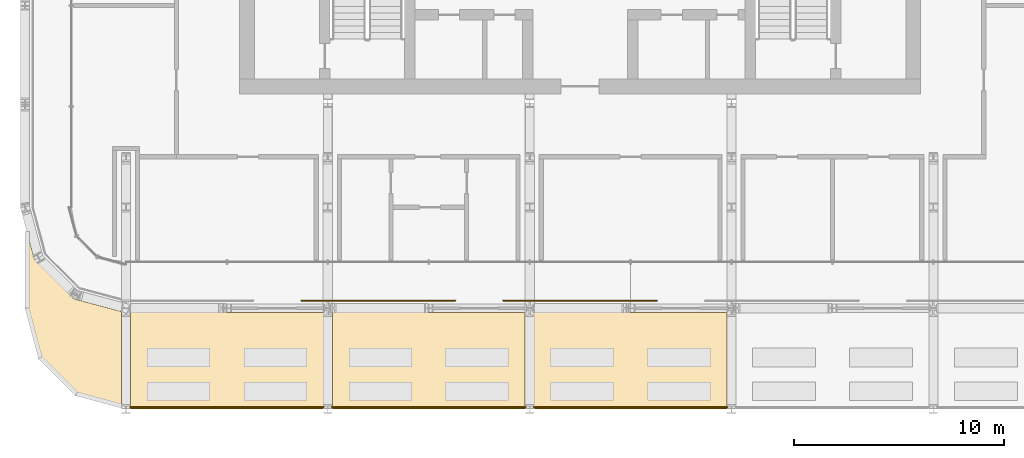
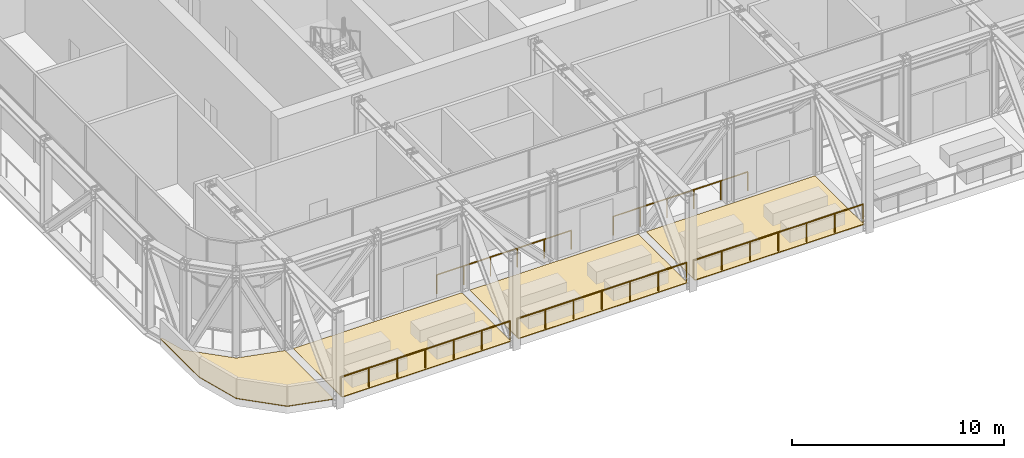
# One storey, part 18 of 22: 5 railings, 4 coverings.
"""IFC4 building model written with IfcOpenShell, lengths in metres."""

from ifc_helpers import new_model, si_unit, direction, frame, origin, origin_2d, place, context, subcontext, project, spatial, polyline, circle, outline, extrude, material, layer, layer_set, type_object, element, save


model = new_model("IFC4")

# Units and contexts
model_context = context("Model", 3, precision=1e-05, world=origin(), true_north=direction((0.0, 1.0)))
body_context = subcontext(model_context, "Body", "Model", "MODEL_VIEW")
ifc_project = project(units=[si_unit("LENGTHUNIT", "METRE"), si_unit("AREAUNIT", "SQUARE_METRE"), si_unit("VOLUMEUNIT", "CUBIC_METRE"), si_unit("PLANEANGLEUNIT", "RADIAN"), si_unit("MASSUNIT", "GRAM", prefix="KILO")], contexts=[model_context])

# Site, building, storey
site_placement = place(None, origin())
site = spatial("IfcSite", under=ifc_project, at=site_placement, CompositionType="ELEMENT")
building_placement = place(site_placement, origin())
building = spatial("IfcBuilding", under=site, at=building_placement, Name="Madar Terraces", CompositionType="ELEMENT")
storey_placement = place(building_placement, frame((0.0, 0.0, 203.39990234375)))
storey = spatial("IfcBuildingStorey", under=building, at=storey_placement, Name="L53", CompositionType="ELEMENT", Elevation=203.39990234375)

# Railings
ifc_material_1 = material(Name="Glass, safety glazing, with stainless steel posts", Category="steel")
railing_type = type_object("IfcRailingType", Name="Balcony glass guard 1100", PredefinedType="GUARDRAIL", material=ifc_material_1)
for number, where, name in (
    (1, (17.94384765625, 5.160888671875, 0.0), "Gallery guard"),
    (2, (27.5439453125, 5.160888671875, 0.0), "Gallery guard"),
):
    element("IfcRailing", number, at=place(storey_placement, frame(where)), inside=storey, type_object=railing_type, Name=name, PredefinedType="GUARDRAIL", context=body_context, shape_type="SweptSolid", body=[
        extrude(circle(Radius=0.02392578125, at=origin_2d()), frame((0.0, 0.0, 1.076171875), z_axis=(1.0, 0.0, 0.0), x_axis=(0.0, 1.0, 0.0)), (0.0, 0.0, 1.0), 7.312255859375),
        extrude(circle(Radius=0.02099609375, at=origin_2d()), origin(), (0.0, 0.0, 1.0), 1.052001953125),
        extrude(circle(Radius=0.02099609375, at=origin_2d()), frame((1.46240234375, 0.0, 0.0)), (0.0, 0.0, 1.0), 1.052001953125),
        extrude(circle(Radius=0.02099609375, at=origin_2d()), frame((2.9248046875, 0.0, 0.0)), (0.0, 0.0, 1.0), 1.052001953125),
        extrude(circle(Radius=0.02099609375, at=origin_2d()), frame((4.387451171875, 0.0, 0.0)), (0.0, 0.0, 1.0), 1.052001953125),
        extrude(circle(Radius=0.02099609375, at=origin_2d()), frame((5.849853515625, 0.0, 0.0)), (0.0, 0.0, 1.0), 1.052001953125),
        extrude(circle(Radius=0.02099609375, at=origin_2d()), frame((7.312255859375, 0.0, 0.0)), (0.0, 0.0, 1.0), 1.052001953125),
    ])
railing_1_placement = place(storey_placement, frame((9.790771484375, 0.10009765625, 0.0400390625)))
element("IfcRailing", 3, at=railing_1_placement, inside=storey, type_object=railing_type, Name="Terrace guard", PredefinedType="GUARDRAIL", context=body_context, shape_type="SweptSolid", body=[
    extrude(circle(Radius=0.02392578125, at=origin_2d()), frame((0.0, 0.0, 1.076171875), z_axis=(1.0, 0.0, 0.0), x_axis=(0.0, 1.0, 0.0)), (0.0, 0.0, 1.0), 9.218505859375),
    extrude(circle(Radius=0.02099609375, at=origin_2d()), origin(), (0.0, 0.0, 1.0), 1.052001953125),
    extrude(circle(Radius=0.02099609375, at=origin_2d()), frame((1.536376953125, 0.0, 0.0)), (0.0, 0.0, 1.0), 1.052001953125),
    extrude(circle(Radius=0.02099609375, at=origin_2d()), frame((3.07275390625, 0.0, 0.0)), (0.0, 0.0, 1.0), 1.052001953125),
    extrude(circle(Radius=0.02099609375, at=origin_2d()), frame((4.609375, 0.0, 0.0)), (0.0, 0.0, 1.0), 1.052001953125),
    extrude(circle(Radius=0.02099609375, at=origin_2d()), frame((6.145751953125, 0.0, 0.0)), (0.0, 0.0, 1.0), 1.052001953125),
    extrude(circle(Radius=0.02099609375, at=origin_2d()), frame((7.68212890625, 0.0, 0.0)), (0.0, 0.0, 1.0), 1.052001953125),
    extrude(circle(Radius=0.02099609375, at=origin_2d()), frame((9.218505859375, 0.0, 0.0)), (0.0, 0.0, 1.0), 1.052001953125),
])
railing_2_placement = place(storey_placement, frame((19.390869140625, 0.10009765625, 0.0400390625)))
element("IfcRailing", 4, at=railing_2_placement, inside=storey, type_object=railing_type, Name="Terrace guard", PredefinedType="GUARDRAIL", context=body_context, shape_type="SweptSolid", body=[
    extrude(circle(Radius=0.02392578125, at=origin_2d()), frame((0.0, 0.0, 1.076171875), z_axis=(1.0, 0.0, 0.0), x_axis=(0.0, 1.0, 0.0)), (0.0, 0.0, 1.0), 9.21826171875),
    extrude(circle(Radius=0.02099609375, at=origin_2d()), origin(), (0.0, 0.0, 1.0), 1.052001953125),
    extrude(circle(Radius=0.02099609375, at=origin_2d()), frame((1.536376953125, 0.0, 0.0)), (0.0, 0.0, 1.0), 1.052001953125),
    extrude(circle(Radius=0.02099609375, at=origin_2d()), frame((3.07275390625, 0.0, 0.0)), (0.0, 0.0, 1.0), 1.052001953125),
    extrude(circle(Radius=0.02099609375, at=origin_2d()), frame((4.609130859375, 0.0, 0.0)), (0.0, 0.0, 1.0), 1.052001953125),
    extrude(circle(Radius=0.02099609375, at=origin_2d()), frame((6.1455078125, 0.0, 0.0)), (0.0, 0.0, 1.0), 1.052001953125),
    extrude(circle(Radius=0.02099609375, at=origin_2d()), frame((7.681884765625, 0.0, 0.0)), (0.0, 0.0, 1.0), 1.052001953125),
    extrude(circle(Radius=0.02099609375, at=origin_2d()), frame((9.21826171875, 0.0, 0.0)), (0.0, 0.0, 1.0), 1.052001953125),
])
railing_3_placement = place(storey_placement, frame((28.99072265625, 0.10009765625, 0.0400390625)))
element("IfcRailing", 5, at=railing_3_placement, inside=storey, type_object=railing_type, Name="Terrace guard", PredefinedType="GUARDRAIL", context=body_context, shape_type="SweptSolid", body=[
    extrude(circle(Radius=0.02392578125, at=origin_2d()), frame((0.0, 0.0, 1.076171875), z_axis=(1.0, 0.0, 0.0), x_axis=(0.0, 1.0, 0.0)), (0.0, 0.0, 1.0), 9.218505859375),
    extrude(circle(Radius=0.02099609375, at=origin_2d()), origin(), (0.0, 0.0, 1.0), 1.052001953125),
    extrude(circle(Radius=0.02099609375, at=origin_2d()), frame((1.536376953125, 0.0, 0.0)), (0.0, 0.0, 1.0), 1.052001953125),
    extrude(circle(Radius=0.02099609375, at=origin_2d()), frame((3.07275390625, 0.0, 0.0)), (0.0, 0.0, 1.0), 1.052001953125),
    extrude(circle(Radius=0.02099609375, at=origin_2d()), frame((4.609375, 0.0, 0.0)), (0.0, 0.0, 1.0), 1.052001953125),
    extrude(circle(Radius=0.02099609375, at=origin_2d()), frame((6.145751953125, 0.0, 0.0)), (0.0, 0.0, 1.0), 1.052001953125),
    extrude(circle(Radius=0.02099609375, at=origin_2d()), frame((7.68212890625, 0.0, 0.0)), (0.0, 0.0, 1.0), 1.052001953125),
    extrude(circle(Radius=0.02099609375, at=origin_2d()), frame((9.218505859375, 0.0, 0.0)), (0.0, 0.0, 1.0), 1.052001953125),
])

# Coverings
ifc_material_2 = material(Name="Porcelain paving slabs on pedestals")
ifc_layer = layer(ifc_material_2, 0.0400390625)
ifc_layer_set = layer_set([ifc_layer], Name="Terrace paving 40")
covering_type = type_object("IfcCoveringType", Name="Terrace paving 40", PredefinedType="FLOORING", material=ifc_layer_set)
covering_1_placement = place(storey_placement, origin())
element("IfcCovering", 6, at=covering_1_placement, inside=storey, type_object=covering_type, Name="Terrace paving", PredefinedType="FLOORING", context=body_context, shape_type="SweptSolid", body=[
    extrude(outline(polyline([(9.85107421875, 0.0009765625), (9.84619140625, 0.002197265625), (9.841796875, 0.00390625), (9.83740234375, 0.005859375), (9.8330078125, 0.00830078125), (9.8291015625, 0.01123046875), (9.825439453125, 0.0146484375), (9.822265625, 0.018310546875), (9.819091796875, 0.022216796875), (9.816650390625, 0.0263671875), (9.814697265625, 0.031005859375), (9.81298828125, 0.035400390625), (9.811767578125, 0.040283203125), (9.81103515625, 0.045166015625), (9.810791015625, 0.050048828125), (9.810791015625, 4.539306640625), (9.81103515625, 4.544189453125), (9.811767578125, 4.548828125), (9.81298828125, 4.5537109375), (9.814697265625, 4.558349609375), (9.816650390625, 4.562744140625), (9.819091796875, 4.56689453125), (9.822265625, 4.57080078125), (9.825439453125, 4.574462890625), (9.8291015625, 4.577880859375), (9.8330078125, 4.580810546875), (9.83740234375, 4.583251953125), (9.841796875, 4.58544921875), (9.84619140625, 4.5869140625), (9.85107421875, 4.588134765625), (9.85595703125, 4.5888671875), (9.86083984375, 4.589111328125), (18.939208984375, 4.589111328125), (18.944091796875, 4.5888671875), (18.948974609375, 4.588134765625), (18.95361328125, 4.5869140625), (18.958251953125, 4.58544921875), (18.962646484375, 4.583251953125), (18.967041015625, 4.580810546875), (18.970947265625, 4.577880859375), (18.974609375, 4.574462890625), (18.977783203125, 4.57080078125), (18.980712890625, 4.56689453125), (18.9833984375, 4.562744140625), (18.9853515625, 4.558349609375), (18.987060546875, 4.5537109375), (18.98828125, 4.548828125), (18.989013671875, 4.544189453125), (18.9892578125, 4.539306640625), (18.9892578125, 0.050048828125), (18.989013671875, 0.045166015625), (18.98828125, 0.040283203125), (18.987060546875, 0.035400390625), (18.9853515625, 0.031005859375), (18.9833984375, 0.0263671875), (18.980712890625, 0.022216796875), (18.977783203125, 0.018310546875), (18.974609375, 0.0146484375), (18.970947265625, 0.01123046875), (18.967041015625, 0.00830078125), (18.962646484375, 0.005859375), (18.958251953125, 0.00390625), (18.95361328125, 0.002197265625), (18.948974609375, 0.0009765625), (18.944091796875, 0.000244140625), (18.939208984375, 0.0), (9.86083984375, 0.0), (9.85595703125, 0.000244140625), (9.85107421875, 0.0009765625)])), origin(), (0.0, 0.0, 1.0), 0.0400390625),
])
covering_2_placement = place(storey_placement, origin())
element("IfcCovering", 7, at=covering_2_placement, inside=storey, type_object=covering_type, Name="Terrace paving", PredefinedType="FLOORING", context=body_context, shape_type="SweptSolid", body=[
    extrude(outline(polyline([(19.4462890625, 0.002197265625), (19.441650390625, 0.00390625), (19.437255859375, 0.005859375), (19.43310546875, 0.00830078125), (19.42919921875, 0.01123046875), (19.425537109375, 0.0146484375), (19.422119140625, 0.018310546875), (19.419189453125, 0.022216796875), (19.416748046875, 0.0263671875), (19.41455078125, 0.031005859375), (19.4130859375, 0.035400390625), (19.411865234375, 0.040283203125), (19.4111328125, 0.045166015625), (19.410888671875, 0.050048828125), (19.410888671875, 4.539306640625), (19.4111328125, 4.544189453125), (19.411865234375, 4.548828125), (19.4130859375, 4.5537109375), (19.41455078125, 4.558349609375), (19.416748046875, 4.562744140625), (19.419189453125, 4.56689453125), (19.422119140625, 4.57080078125), (19.425537109375, 4.574462890625), (19.42919921875, 4.577880859375), (19.43310546875, 4.580810546875), (19.437255859375, 4.583251953125), (19.441650390625, 4.58544921875), (19.4462890625, 4.5869140625), (19.451171875, 4.588134765625), (19.455810546875, 4.5888671875), (19.460693359375, 4.589111328125), (28.539306640625, 4.589111328125), (28.544189453125, 4.5888671875), (28.548828125, 4.588134765625), (28.5537109375, 4.5869140625), (28.558349609375, 4.58544921875), (28.562744140625, 4.583251953125), (28.56689453125, 4.580810546875), (28.57080078125, 4.577880859375), (28.574462890625, 4.574462890625), (28.577880859375, 4.57080078125), (28.580810546875, 4.56689453125), (28.583251953125, 4.562744140625), (28.58544921875, 4.558349609375), (28.5869140625, 4.5537109375), (28.588134765625, 4.548828125), (28.5888671875, 4.544189453125), (28.589111328125, 4.539306640625), (28.589111328125, 0.050048828125), (28.5888671875, 0.045166015625), (28.588134765625, 0.040283203125), (28.5869140625, 0.035400390625), (28.58544921875, 0.031005859375), (28.583251953125, 0.0263671875), (28.580810546875, 0.022216796875), (28.577880859375, 0.018310546875), (28.574462890625, 0.0146484375), (28.57080078125, 0.01123046875), (28.56689453125, 0.00830078125), (28.562744140625, 0.005859375), (28.558349609375, 0.00390625), (28.5537109375, 0.002197265625), (28.548828125, 0.0009765625), (28.544189453125, 0.000244140625), (28.539306640625, 0.0), (19.460693359375, 0.0), (19.455810546875, 0.000244140625), (19.451171875, 0.0009765625), (19.4462890625, 0.002197265625)])), origin(), (0.0, 0.0, 1.0), 0.0400390625),
])
covering_3_placement = place(storey_placement, origin())
element("IfcCovering", 8, at=covering_3_placement, inside=storey, type_object=covering_type, Name="Terrace paving", PredefinedType="FLOORING", context=body_context, shape_type="SweptSolid", body=[
    extrude(outline(polyline([(29.04638671875, 0.002197265625), (29.041748046875, 0.00390625), (29.037353515625, 0.005859375), (29.032958984375, 0.00830078125), (29.029052734375, 0.01123046875), (29.025390625, 0.0146484375), (29.022216796875, 0.018310546875), (29.019287109375, 0.022216796875), (29.0166015625, 0.0263671875), (29.0146484375, 0.031005859375), (29.012939453125, 0.035400390625), (29.01171875, 0.040283203125), (29.010986328125, 0.045166015625), (29.0107421875, 0.050048828125), (29.0107421875, 4.539306640625), (29.010986328125, 4.544189453125), (29.01171875, 4.548828125), (29.012939453125, 4.5537109375), (29.0146484375, 4.558349609375), (29.0166015625, 4.562744140625), (29.019287109375, 4.56689453125), (29.022216796875, 4.57080078125), (29.025390625, 4.574462890625), (29.029052734375, 4.577880859375), (29.032958984375, 4.580810546875), (29.037353515625, 4.583251953125), (29.041748046875, 4.58544921875), (29.04638671875, 4.5869140625), (29.051025390625, 4.588134765625), (29.055908203125, 4.5888671875), (29.060791015625, 4.589111328125), (38.13916015625, 4.589111328125), (38.14404296875, 4.5888671875), (38.14892578125, 4.588134765625), (38.15380859375, 4.5869140625), (38.158203125, 4.58544921875), (38.16259765625, 4.583251953125), (38.1669921875, 4.580810546875), (38.1708984375, 4.577880859375), (38.174560546875, 4.574462890625), (38.177734375, 4.57080078125), (38.180908203125, 4.56689453125), (38.183349609375, 4.562744140625), (38.185302734375, 4.558349609375), (38.18701171875, 4.5537109375), (38.188232421875, 4.548828125), (38.18896484375, 4.544189453125), (38.189208984375, 4.539306640625), (38.189208984375, 0.050048828125), (38.18896484375, 0.045166015625), (38.188232421875, 0.040283203125), (38.18701171875, 0.035400390625), (38.185302734375, 0.031005859375), (38.183349609375, 0.0263671875), (38.180908203125, 0.022216796875), (38.177734375, 0.018310546875), (38.174560546875, 0.0146484375), (38.1708984375, 0.01123046875), (38.1669921875, 0.00830078125), (38.16259765625, 0.005859375), (38.158203125, 0.00390625), (38.15380859375, 0.002197265625), (38.14892578125, 0.0009765625), (38.14404296875, 0.000244140625), (38.13916015625, 0.0), (29.060791015625, 0.0), (29.055908203125, 0.000244140625), (29.051025390625, 0.0009765625), (29.04638671875, 0.002197265625)])), origin(), (0.0, 0.0, 1.0), 0.0400390625),
])
covering_4_placement = place(storey_placement, origin())
element("IfcCovering", 9, at=covering_4_placement, inside=storey, type_object=covering_type, Name="Terrace paving", PredefinedType="FLOORING", context=body_context, shape_type="SweptSolid", body=[
    extrude(outline(polyline([(7.0908203125, 5.254150390625), (7.092041015625, 5.253662109375), (9.35205078125, 4.648193359375), (9.35693359375, 4.646484375), (9.361572265625, 4.64453125), (9.365966796875, 4.64208984375), (9.3701171875, 4.63916015625), (9.373779296875, 4.635986328125), (9.377197265625, 4.63232421875), (9.38037109375, 4.62841796875), (9.383056640625, 4.6240234375), (9.38525390625, 4.619384765625), (9.386962890625, 4.61474609375), (9.38818359375, 4.60986328125), (9.388916015625, 4.60498046875), (9.38916015625, 4.599853515625), (9.38916015625, 0.12158203125), (9.388916015625, 0.11669921875), (9.38818359375, 0.112060546875), (9.38720703125, 0.107421875), (9.385498046875, 0.102783203125), (9.383544921875, 0.098388671875), (9.381103515625, 0.09423828125), (9.378173828125, 0.09033203125), (9.375, 0.0869140625), (9.37158203125, 0.08349609375), (9.36767578125, 0.08056640625), (9.363525390625, 0.077880859375), (9.359375, 0.075927734375), (9.354736328125, 0.07421875), (9.35009765625, 0.072998046875), (9.345458984375, 0.072021484375), (9.340576171875, 0.07177734375), (9.335693359375, 0.07177734375), (9.3310546875, 0.072265625), (9.326171875, 0.073486328125), (7.212890625, 0.6396484375), (7.2080078125, 0.64111328125), (7.203125, 0.643310546875), (7.198486328125, 0.64599609375), (7.1943359375, 0.64892578125), (7.1904296875, 0.652587890625), (5.45263671875, 2.390380859375), (5.448974609375, 2.394287109375), (5.446044921875, 2.398681640625), (5.443359375, 2.4033203125), (5.441162109375, 2.407958984375), (5.439697265625, 2.412841796875), (4.8017578125, 4.793701171875), (4.80078125, 4.7978515625), (4.80029296875, 4.80224609375), (4.800048828125, 4.806640625), (4.800048828125, 8.40576171875), (4.80029296875, 8.41064453125), (4.801025390625, 8.41552734375), (4.80224609375, 8.42041015625), (4.803955078125, 8.425048828125), (4.805908203125, 8.429443359375), (4.80859375, 8.43359375), (4.8115234375, 8.437744140625), (4.81494140625, 8.44140625), (4.818603515625, 8.444580078125), (4.82275390625, 8.447509765625), (4.826904296875, 8.4501953125), (4.83154296875, 8.4521484375), (4.836181640625, 8.45361328125), (4.841064453125, 8.454833984375), (4.845947265625, 8.45556640625), (4.850830078125, 8.455810546875), (4.85595703125, 8.455322265625), (4.860595703125, 8.45458984375), (4.865478515625, 8.453125), (4.8701171875, 8.451416015625), (4.87451171875, 8.44921875), (4.87890625, 8.446533203125), (4.8828125, 8.443603515625), (4.88623046875, 8.440185546875), (4.889404296875, 8.436279296875), (4.892333984375, 8.43212890625), (4.894775390625, 8.427978515625), (4.896728515625, 8.42333984375), (4.898193359375, 8.418701171875), (5.253662109375, 7.092041015625), (5.254150390625, 7.0908203125), (5.2548828125, 7.08984375), (7.08984375, 5.2548828125), (7.0908203125, 5.254150390625)])), origin(), (0.0, 0.0, 1.0), 0.0400390625),
])

save(model, "model.ifc")
